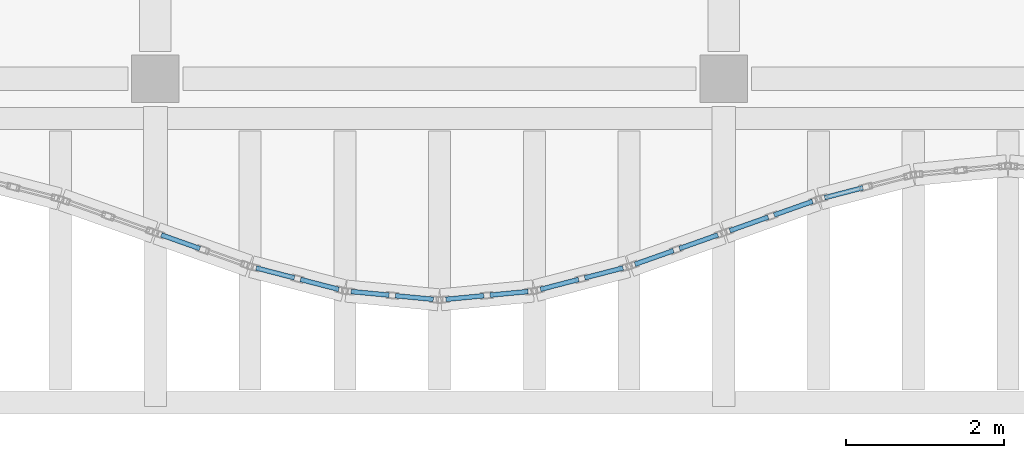
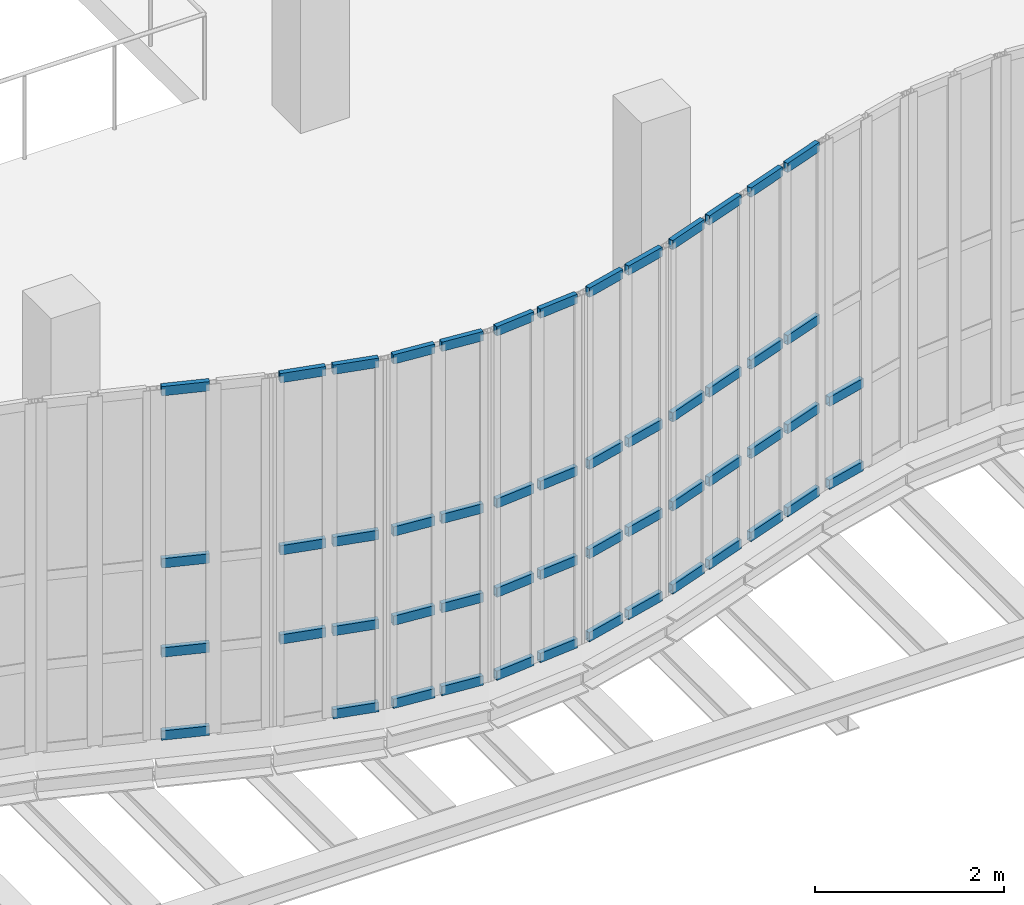
# One storey, part 47 of 105: 53 members, 8 elements without a shape of their own.
"""IFC4 building model written with IfcOpenShell, lengths in metres."""

from ifc_helpers import new_model, si_unit, direction, frame, origin, origin_2d, place, context, subcontext, project, spatial, hollow_rectangle, extrude, material, layer, layer_set, material_profile, profile_set, type_object, element, aggregate, save


model = new_model("IFC4")

# Units and contexts
model_context = context("Model", 3, precision=1e-05, world=origin(), true_north=direction((0.0, 1.0)))
body_context = subcontext(model_context, "Body", "Model", "MODEL_VIEW")
ifc_project = project(units=[si_unit("LENGTHUNIT", "METRE"), si_unit("AREAUNIT", "SQUARE_METRE"), si_unit("VOLUMEUNIT", "CUBIC_METRE"), si_unit("PLANEANGLEUNIT", "RADIAN"), si_unit("MASSUNIT", "GRAM", prefix="KILO"), si_unit("THERMODYNAMICTEMPERATUREUNIT", "KELVIN"), si_unit("POWERUNIT", "WATT")], contexts=[model_context])

# Site, building, storey
site_placement = place(None, origin())
site = spatial("IfcSite", under=ifc_project, at=site_placement, CompositionType="ELEMENT")
building_placement = place(site_placement, origin())
building = spatial("IfcBuilding", under=site, at=building_placement, Name="Kaldorven Railside Theatre", CompositionType="ELEMENT")
storey_placement = place(building_placement, frame((0.0, 0.0, 9.89990234375)))
storey = spatial("IfcBuildingStorey", under=building, at=storey_placement, Name="L02", CompositionType="ELEMENT", Elevation=9.89990234375)

# Curtain wall, members
ifc_material_1 = material(Name="Low-E laminated solar-control glass", Category="glass")
ifc_layer_1 = layer(ifc_material_1, 0.159912109375, Name="Low-E laminated solar-control glass")
ifc_layer_set_1 = layer_set([ifc_layer_1], Name="Low-E laminated solar-control glass")
curtain_wall_type_1 = type_object("IfcCurtainWallType", Name="CWT-01", PredefinedType="USERDEFINED", material=ifc_layer_set_1)
curtain_wall_1_placement = place(storey_placement, origin())
curtain_wall_1 = element("IfcCurtainWall", 1, at=curtain_wall_1_placement, inside=storey, type_object=curtain_wall_type_1, Name="Sinusoidal Fluted Curtain Wall CW-L02-S07", ObjectType="FLUTED GLAZING", PredefinedType="USERDEFINED")
ifc_material_2 = material(Name="Anodised bronze aluminium", Category="aluminium")
ifc_material_profile = material_profile(ifc_material_2, hollow_rectangle(XDim=0.06005859375, YDim=0.1201171875, WallThickness=0.0048828125, at=origin_2d()), Name="RHS 120x60x5")
ifc_profile_set = profile_set([ifc_material_profile], Name="Anodised bronze aluminium")
member_type = type_object("IfcMemberType", Name="CWT-120", PredefinedType="USERDEFINED", material=ifc_profile_set)
member_1_placement = place(storey_placement, frame((44.075439453125, 17.223388671875, 0.030029296875), z_axis=(0.942509408488, -0.334179614745, 0.0), x_axis=(0.334179614745, 0.942509408488, 0.0)))
member_1 = element("IfcMember", 2, at=member_1_placement, type_object=member_type, Name="CW-L02-S07 transom 1.1", ObjectType="TRANSOM", PredefinedType="USERDEFINED", context=body_context, shape_type="SweptSolid", body=[
    extrude(hollow_rectangle(XDim=0.06005859375, YDim=0.1201171875, WallThickness=0.0048828125, at=origin_2d()), origin(), (0.0, 0.0, 1.0), 0.5166015625),
])
member_2_placement = place(storey_placement, frame((44.075439453125, 17.223388671875, 1.10009765625), z_axis=(0.942509408488, -0.334179614745, 0.0), x_axis=(0.334179614745, 0.942509408488, 0.0)))
member_2 = element("IfcMember", 3, at=member_2_placement, type_object=member_type, Name="CW-L02-S07 transom 1.2", ObjectType="TRANSOM", PredefinedType="USERDEFINED", context=body_context, shape_type="SweptSolid", body=[
    extrude(hollow_rectangle(XDim=0.06005859375, YDim=0.1201171875, WallThickness=0.0048828125, at=origin_2d()), origin(), (0.0, 0.0, 1.0), 0.5166015625),
])
member_3_placement = place(storey_placement, frame((44.075439453125, 17.223388671875, 2.25), z_axis=(0.942509408488, -0.334179614745, 0.0), x_axis=(0.334179614745, 0.942509408488, 0.0)))
member_3 = element("IfcMember", 4, at=member_3_placement, type_object=member_type, Name="CW-L02-S07 transom 1.3", ObjectType="TRANSOM", PredefinedType="USERDEFINED", context=body_context, shape_type="SweptSolid", body=[
    extrude(hollow_rectangle(XDim=0.06005859375, YDim=0.1201171875, WallThickness=0.0048828125, at=origin_2d()), origin(), (0.0, 0.0, 1.0), 0.5166015625),
])
member_4_placement = place(storey_placement, frame((44.075439453125, 17.223388671875, 4.47021484375), z_axis=(0.942509408488, -0.334179614745, 0.0), x_axis=(0.334179614745, 0.942509408488, 0.0)))
member_4 = element("IfcMember", 5, at=member_4_placement, type_object=member_type, Name="CW-L02-S07 transom 1.4", ObjectType="TRANSOM", PredefinedType="USERDEFINED", context=body_context, shape_type="SweptSolid", body=[
    extrude(hollow_rectangle(XDim=0.06005859375, YDim=0.1201171875, WallThickness=0.0048828125, at=origin_2d()), origin(), (0.0, 0.0, 1.0), 0.5166015625),
])
aggregate(curtain_wall_1, [member_1, member_2, member_3, member_4])

ifc_layer_2 = layer(ifc_material_1, 0.159912109375, Name="Low-E laminated solar-control glass")
ifc_layer_set_2 = layer_set([ifc_layer_2], Name="Low-E laminated solar-control glass")
curtain_wall_type_2 = type_object("IfcCurtainWallType", Name="CWT-02", PredefinedType="USERDEFINED", material=ifc_layer_set_2)
curtain_wall_2_placement = place(storey_placement, origin())
curtain_wall_2 = element("IfcCurtainWall", 6, at=curtain_wall_2_placement, inside=storey, type_object=curtain_wall_type_2, Name="Sinusoidal Fluted Curtain Wall CW-L02-S08", ObjectType="FLUTED GLAZING", PredefinedType="USERDEFINED")
member_5_placement = place(storey_placement, frame((45.27734375, 16.804931640625, 1.10009765625), z_axis=(0.967979318949, -0.251029954561, 0.0), x_axis=(0.251029954561, 0.967979318949, 0.0)))
member_5 = element("IfcMember", 7, at=member_5_placement, type_object=member_type, Name="CW-L02-S08 transom 1.2", ObjectType="TRANSOM", PredefinedType="USERDEFINED", context=body_context, shape_type="SweptSolid", body=[
    extrude(hollow_rectangle(XDim=0.06005859375, YDim=0.1201171875, WallThickness=0.0048828125, at=origin_2d()), origin(), (0.0, 0.0, 1.0), 0.5),
])
member_6_placement = place(storey_placement, frame((45.27734375, 16.804931640625, 2.25), z_axis=(0.967979318949, -0.251029954561, 0.0), x_axis=(0.251029954561, 0.967979318949, 0.0)))
member_6 = element("IfcMember", 8, at=member_6_placement, type_object=member_type, Name="CW-L02-S08 transom 1.3", ObjectType="TRANSOM", PredefinedType="USERDEFINED", context=body_context, shape_type="SweptSolid", body=[
    extrude(hollow_rectangle(XDim=0.06005859375, YDim=0.1201171875, WallThickness=0.0048828125, at=origin_2d()), origin(), (0.0, 0.0, 1.0), 0.5),
])
member_7_placement = place(storey_placement, frame((45.27734375, 16.804931640625, 4.47021484375), z_axis=(0.967979318949, -0.251029954561, 0.0), x_axis=(0.251029954561, 0.967979318949, 0.0)))
member_7 = element("IfcMember", 9, at=member_7_placement, type_object=member_type, Name="CW-L02-S08 transom 1.4", ObjectType="TRANSOM", PredefinedType="USERDEFINED", context=body_context, shape_type="SweptSolid", body=[
    extrude(hollow_rectangle(XDim=0.06005859375, YDim=0.1201171875, WallThickness=0.0048828125, at=origin_2d()), origin(), (0.0, 0.0, 1.0), 0.5),
])
member_8_placement = place(storey_placement, frame((45.838623046875, 16.659423828125, 0.030029296875), z_axis=(0.967979318949, -0.251029954561, 0.0), x_axis=(0.251029954561, 0.967979318949, 0.0)))
member_8 = element("IfcMember", 10, at=member_8_placement, type_object=member_type, Name="CW-L02-S08 transom 2.1", ObjectType="TRANSOM", PredefinedType="USERDEFINED", context=body_context, shape_type="SweptSolid", body=[
    extrude(hollow_rectangle(XDim=0.06005859375, YDim=0.1201171875, WallThickness=0.0048828125, at=origin_2d()), origin(), (0.0, 0.0, 1.0), 0.5),
])
member_9_placement = place(storey_placement, frame((45.838623046875, 16.659423828125, 1.10009765625), z_axis=(0.967979318949, -0.251029954561, 0.0), x_axis=(0.251029954561, 0.967979318949, 0.0)))
member_9 = element("IfcMember", 11, at=member_9_placement, type_object=member_type, Name="CW-L02-S08 transom 2.2", ObjectType="TRANSOM", PredefinedType="USERDEFINED", context=body_context, shape_type="SweptSolid", body=[
    extrude(hollow_rectangle(XDim=0.06005859375, YDim=0.1201171875, WallThickness=0.0048828125, at=origin_2d()), origin(), (0.0, 0.0, 1.0), 0.5),
])
member_10_placement = place(storey_placement, frame((45.838623046875, 16.659423828125, 2.25), z_axis=(0.967979318949, -0.251029954561, 0.0), x_axis=(0.251029954561, 0.967979318949, 0.0)))
member_10 = element("IfcMember", 12, at=member_10_placement, type_object=member_type, Name="CW-L02-S08 transom 2.3", ObjectType="TRANSOM", PredefinedType="USERDEFINED", context=body_context, shape_type="SweptSolid", body=[
    extrude(hollow_rectangle(XDim=0.06005859375, YDim=0.1201171875, WallThickness=0.0048828125, at=origin_2d()), origin(), (0.0, 0.0, 1.0), 0.5),
])
member_11_placement = place(storey_placement, frame((45.838623046875, 16.659423828125, 4.47021484375), z_axis=(0.967979318949, -0.251029954561, 0.0), x_axis=(0.251029954561, 0.967979318949, 0.0)))
member_11 = element("IfcMember", 13, at=member_11_placement, type_object=member_type, Name="CW-L02-S08 transom 2.4", ObjectType="TRANSOM", PredefinedType="USERDEFINED", context=body_context, shape_type="SweptSolid", body=[
    extrude(hollow_rectangle(XDim=0.06005859375, YDim=0.1201171875, WallThickness=0.0048828125, at=origin_2d()), origin(), (0.0, 0.0, 1.0), 0.5),
])
aggregate(curtain_wall_2, [member_5, member_6, member_7, member_8, member_9, member_10, member_11])

ifc_layer_3 = layer(ifc_material_1, 0.159912109375, Name="Low-E laminated solar-control glass")
ifc_layer_set_3 = layer_set([ifc_layer_3], Name="Low-E laminated solar-control glass")
curtain_wall_type_3 = type_object("IfcCurtainWallType", Name="CWT-03", PredefinedType="USERDEFINED", material=ifc_layer_set_3)
curtain_wall_3_placement = place(storey_placement, origin())
curtain_wall_3 = element("IfcCurtainWall", 14, at=curtain_wall_3_placement, inside=storey, type_object=curtain_wall_type_3, Name="Sinusoidal Fluted Curtain Wall CW-L02-S09", ObjectType="FLUTED GLAZING", PredefinedType="USERDEFINED")
member_12_placement = place(storey_placement, frame((46.479736328125, 16.50634765625, 0.030029296875), z_axis=(0.995515910823, -0.094594245591, 0.0), x_axis=(0.094594245591, 0.995515910823, 0.0)))
member_12 = element("IfcMember", 15, at=member_12_placement, type_object=member_type, Name="CW-L02-S09 transom 1.1", ObjectType="TRANSOM", PredefinedType="USERDEFINED", context=body_context, shape_type="SweptSolid", body=[
    extrude(hollow_rectangle(XDim=0.06005859375, YDim=0.1201171875, WallThickness=0.0048828125, at=origin_2d()), origin(), (0.0, 0.0, 1.0), 0.482666015625),
])
member_13_placement = place(storey_placement, frame((46.479736328125, 16.50634765625, 1.10009765625), z_axis=(0.995515910823, -0.094594245591, 0.0), x_axis=(0.094594245591, 0.995515910823, 0.0)))
member_13 = element("IfcMember", 16, at=member_13_placement, type_object=member_type, Name="CW-L02-S09 transom 1.2", ObjectType="TRANSOM", PredefinedType="USERDEFINED", context=body_context, shape_type="SweptSolid", body=[
    extrude(hollow_rectangle(XDim=0.06005859375, YDim=0.1201171875, WallThickness=0.0048828125, at=origin_2d()), origin(), (0.0, 0.0, 1.0), 0.482666015625),
])
member_14_placement = place(storey_placement, frame((46.479736328125, 16.50634765625, 2.25), z_axis=(0.995515910823, -0.094594245591, 0.0), x_axis=(0.094594245591, 0.995515910823, 0.0)))
member_14 = element("IfcMember", 17, at=member_14_placement, type_object=member_type, Name="CW-L02-S09 transom 1.3", ObjectType="TRANSOM", PredefinedType="USERDEFINED", context=body_context, shape_type="SweptSolid", body=[
    extrude(hollow_rectangle(XDim=0.06005859375, YDim=0.1201171875, WallThickness=0.0048828125, at=origin_2d()), origin(), (0.0, 0.0, 1.0), 0.482666015625),
])
member_15_placement = place(storey_placement, frame((46.479736328125, 16.50634765625, 4.47021484375), z_axis=(0.995515910823, -0.094594245591, 0.0), x_axis=(0.094594245591, 0.995515910823, 0.0)))
member_15 = element("IfcMember", 18, at=member_15_placement, type_object=member_type, Name="CW-L02-S09 transom 1.4", ObjectType="TRANSOM", PredefinedType="USERDEFINED", context=body_context, shape_type="SweptSolid", body=[
    extrude(hollow_rectangle(XDim=0.06005859375, YDim=0.1201171875, WallThickness=0.0048828125, at=origin_2d()), origin(), (0.0, 0.0, 1.0), 0.482666015625),
])
member_16_placement = place(storey_placement, frame((47.039794921875, 16.453125, 0.030029296875), z_axis=(0.995515910823, -0.094594245591, 0.0), x_axis=(0.094594245591, 0.995515910823, 0.0)))
member_16 = element("IfcMember", 19, at=member_16_placement, type_object=member_type, Name="CW-L02-S09 transom 2.1", ObjectType="TRANSOM", PredefinedType="USERDEFINED", context=body_context, shape_type="SweptSolid", body=[
    extrude(hollow_rectangle(XDim=0.06005859375, YDim=0.1201171875, WallThickness=0.0048828125, at=origin_2d()), origin(), (0.0, 0.0, 1.0), 0.482666015625),
])
member_17_placement = place(storey_placement, frame((47.039794921875, 16.453125, 1.10009765625), z_axis=(0.995515910823, -0.094594245591, 0.0), x_axis=(0.094594245591, 0.995515910823, 0.0)))
member_17 = element("IfcMember", 20, at=member_17_placement, type_object=member_type, Name="CW-L02-S09 transom 2.2", ObjectType="TRANSOM", PredefinedType="USERDEFINED", context=body_context, shape_type="SweptSolid", body=[
    extrude(hollow_rectangle(XDim=0.06005859375, YDim=0.1201171875, WallThickness=0.0048828125, at=origin_2d()), origin(), (0.0, 0.0, 1.0), 0.482666015625),
])
member_18_placement = place(storey_placement, frame((47.039794921875, 16.453125, 2.25), z_axis=(0.995515910823, -0.094594245591, 0.0), x_axis=(0.094594245591, 0.995515910823, 0.0)))
member_18 = element("IfcMember", 21, at=member_18_placement, type_object=member_type, Name="CW-L02-S09 transom 2.3", ObjectType="TRANSOM", PredefinedType="USERDEFINED", context=body_context, shape_type="SweptSolid", body=[
    extrude(hollow_rectangle(XDim=0.06005859375, YDim=0.1201171875, WallThickness=0.0048828125, at=origin_2d()), origin(), (0.0, 0.0, 1.0), 0.482666015625),
])
member_19_placement = place(storey_placement, frame((47.039794921875, 16.453125, 4.47021484375), z_axis=(0.995515910823, -0.094594245591, 0.0), x_axis=(0.094594245591, 0.995515910823, 0.0)))
member_19 = element("IfcMember", 22, at=member_19_placement, type_object=member_type, Name="CW-L02-S09 transom 2.4", ObjectType="TRANSOM", PredefinedType="USERDEFINED", context=body_context, shape_type="SweptSolid", body=[
    extrude(hollow_rectangle(XDim=0.06005859375, YDim=0.1201171875, WallThickness=0.0048828125, at=origin_2d()), origin(), (0.0, 0.0, 1.0), 0.482666015625),
])
aggregate(curtain_wall_3, [member_12, member_13, member_14, member_15, member_16, member_17, member_18, member_19])

curtain_wall_4_placement = place(storey_placement, origin())
curtain_wall_4 = element("IfcCurtainWall", 23, at=curtain_wall_4_placement, inside=storey, type_object=curtain_wall_type_3, Name="Sinusoidal Fluted Curtain Wall CW-L02-S10", ObjectType="FLUTED GLAZING", PredefinedType="USERDEFINED")
member_20_placement = place(storey_placement, frame((47.6796875, 16.407470703125, 0.030029296875), z_axis=(0.995515910823, 0.094594245591, 0.0), x_axis=(-0.094594245591, 0.995515910823, 0.0)))
member_20 = element("IfcMember", 24, at=member_20_placement, type_object=member_type, Name="CW-L02-S10 transom 1.1", ObjectType="TRANSOM", PredefinedType="USERDEFINED", context=body_context, shape_type="SweptSolid", body=[
    extrude(hollow_rectangle(XDim=0.06005859375, YDim=0.1201171875, WallThickness=0.0048828125, at=origin_2d()), origin(), (0.0, 0.0, 1.0), 0.482666015625),
])
member_21_placement = place(storey_placement, frame((47.6796875, 16.407470703125, 1.10009765625), z_axis=(0.995515910823, 0.094594245591, 0.0), x_axis=(-0.094594245591, 0.995515910823, 0.0)))
member_21 = element("IfcMember", 25, at=member_21_placement, type_object=member_type, Name="CW-L02-S10 transom 1.2", ObjectType="TRANSOM", PredefinedType="USERDEFINED", context=body_context, shape_type="SweptSolid", body=[
    extrude(hollow_rectangle(XDim=0.06005859375, YDim=0.1201171875, WallThickness=0.0048828125, at=origin_2d()), origin(), (0.0, 0.0, 1.0), 0.482666015625),
])
member_22_placement = place(storey_placement, frame((47.6796875, 16.407470703125, 2.25), z_axis=(0.995515910823, 0.094594245591, 0.0), x_axis=(-0.094594245591, 0.995515910823, 0.0)))
member_22 = element("IfcMember", 26, at=member_22_placement, type_object=member_type, Name="CW-L02-S10 transom 1.3", ObjectType="TRANSOM", PredefinedType="USERDEFINED", context=body_context, shape_type="SweptSolid", body=[
    extrude(hollow_rectangle(XDim=0.06005859375, YDim=0.1201171875, WallThickness=0.0048828125, at=origin_2d()), origin(), (0.0, 0.0, 1.0), 0.482666015625),
])
member_23_placement = place(storey_placement, frame((47.6796875, 16.407470703125, 4.47021484375), z_axis=(0.995515910823, 0.094594245591, 0.0), x_axis=(-0.094594245591, 0.995515910823, 0.0)))
member_23 = element("IfcMember", 27, at=member_23_placement, type_object=member_type, Name="CW-L02-S10 transom 1.4", ObjectType="TRANSOM", PredefinedType="USERDEFINED", context=body_context, shape_type="SweptSolid", body=[
    extrude(hollow_rectangle(XDim=0.06005859375, YDim=0.1201171875, WallThickness=0.0048828125, at=origin_2d()), origin(), (0.0, 0.0, 1.0), 0.482666015625),
])
member_24_placement = place(storey_placement, frame((48.23974609375, 16.460693359375, 0.030029296875), z_axis=(0.995520433802, 0.094546633378, 0.0), x_axis=(-0.094546633378, 0.995520433802, 0.0)))
member_24 = element("IfcMember", 28, at=member_24_placement, type_object=member_type, Name="CW-L02-S10 transom 2.1", ObjectType="TRANSOM", PredefinedType="USERDEFINED", context=body_context, shape_type="SweptSolid", body=[
    extrude(hollow_rectangle(XDim=0.06005859375, YDim=0.1201171875, WallThickness=0.0048828125, at=origin_2d()), origin(), (0.0, 0.0, 1.0), 0.48291015625),
])
member_25_placement = place(storey_placement, frame((48.23974609375, 16.460693359375, 1.10009765625), z_axis=(0.995520433802, 0.094546633378, 0.0), x_axis=(-0.094546633378, 0.995520433802, 0.0)))
member_25 = element("IfcMember", 29, at=member_25_placement, type_object=member_type, Name="CW-L02-S10 transom 2.2", ObjectType="TRANSOM", PredefinedType="USERDEFINED", context=body_context, shape_type="SweptSolid", body=[
    extrude(hollow_rectangle(XDim=0.06005859375, YDim=0.1201171875, WallThickness=0.0048828125, at=origin_2d()), origin(), (0.0, 0.0, 1.0), 0.48291015625),
])
member_26_placement = place(storey_placement, frame((48.23974609375, 16.460693359375, 2.25), z_axis=(0.995520433802, 0.094546633378, 0.0), x_axis=(-0.094546633378, 0.995520433802, 0.0)))
member_26 = element("IfcMember", 30, at=member_26_placement, type_object=member_type, Name="CW-L02-S10 transom 2.3", ObjectType="TRANSOM", PredefinedType="USERDEFINED", context=body_context, shape_type="SweptSolid", body=[
    extrude(hollow_rectangle(XDim=0.06005859375, YDim=0.1201171875, WallThickness=0.0048828125, at=origin_2d()), origin(), (0.0, 0.0, 1.0), 0.48291015625),
])
member_27_placement = place(storey_placement, frame((48.23974609375, 16.460693359375, 4.47021484375), z_axis=(0.995520433802, 0.094546633378, 0.0), x_axis=(-0.094546633378, 0.995520433802, 0.0)))
member_27 = element("IfcMember", 31, at=member_27_placement, type_object=member_type, Name="CW-L02-S10 transom 2.4", ObjectType="TRANSOM", PredefinedType="USERDEFINED", context=body_context, shape_type="SweptSolid", body=[
    extrude(hollow_rectangle(XDim=0.06005859375, YDim=0.1201171875, WallThickness=0.0048828125, at=origin_2d()), origin(), (0.0, 0.0, 1.0), 0.48291015625),
])
aggregate(curtain_wall_4, [member_20, member_21, member_22, member_23, member_24, member_25, member_26, member_27])

curtain_wall_5_placement = place(storey_placement, origin())
curtain_wall_5 = element("IfcCurtainWall", 32, at=curtain_wall_5_placement, inside=storey, type_object=curtain_wall_type_2, Name="Sinusoidal Fluted Curtain Wall CW-L02-S11", ObjectType="FLUTED GLAZING", PredefinedType="USERDEFINED")
member_28_placement = place(storey_placement, frame((48.87744140625, 16.533935546875, 0.030029296875), z_axis=(0.967979318949, 0.251029954561, 0.0), x_axis=(-0.251029954561, 0.967979318949, 0.0)))
member_28 = element("IfcMember", 33, at=member_28_placement, type_object=member_type, Name="CW-L02-S11 transom 1.1", ObjectType="TRANSOM", PredefinedType="USERDEFINED", context=body_context, shape_type="SweptSolid", body=[
    extrude(hollow_rectangle(XDim=0.06005859375, YDim=0.1201171875, WallThickness=0.0048828125, at=origin_2d()), origin(), (0.0, 0.0, 1.0), 0.5),
])
member_29_placement = place(storey_placement, frame((48.87744140625, 16.533935546875, 1.10009765625), z_axis=(0.967979318949, 0.251029954561, 0.0), x_axis=(-0.251029954561, 0.967979318949, 0.0)))
member_29 = element("IfcMember", 34, at=member_29_placement, type_object=member_type, Name="CW-L02-S11 transom 1.2", ObjectType="TRANSOM", PredefinedType="USERDEFINED", context=body_context, shape_type="SweptSolid", body=[
    extrude(hollow_rectangle(XDim=0.06005859375, YDim=0.1201171875, WallThickness=0.0048828125, at=origin_2d()), origin(), (0.0, 0.0, 1.0), 0.5),
])
member_30_placement = place(storey_placement, frame((48.87744140625, 16.533935546875, 2.25), z_axis=(0.967979318949, 0.251029954561, 0.0), x_axis=(-0.251029954561, 0.967979318949, 0.0)))
member_30 = element("IfcMember", 35, at=member_30_placement, type_object=member_type, Name="CW-L02-S11 transom 1.3", ObjectType="TRANSOM", PredefinedType="USERDEFINED", context=body_context, shape_type="SweptSolid", body=[
    extrude(hollow_rectangle(XDim=0.06005859375, YDim=0.1201171875, WallThickness=0.0048828125, at=origin_2d()), origin(), (0.0, 0.0, 1.0), 0.5),
])
member_31_placement = place(storey_placement, frame((48.87744140625, 16.533935546875, 4.47021484375), z_axis=(0.967979318949, 0.251029954561, 0.0), x_axis=(-0.251029954561, 0.967979318949, 0.0)))
member_31 = element("IfcMember", 36, at=member_31_placement, type_object=member_type, Name="CW-L02-S11 transom 1.4", ObjectType="TRANSOM", PredefinedType="USERDEFINED", context=body_context, shape_type="SweptSolid", body=[
    extrude(hollow_rectangle(XDim=0.06005859375, YDim=0.1201171875, WallThickness=0.0048828125, at=origin_2d()), origin(), (0.0, 0.0, 1.0), 0.5),
])
member_32_placement = place(storey_placement, frame((49.438720703125, 16.679443359375, 0.030029296875), z_axis=(0.967979318949, 0.251029954561, 0.0), x_axis=(-0.251029954561, 0.967979318949, 0.0)))
member_32 = element("IfcMember", 37, at=member_32_placement, type_object=member_type, Name="CW-L02-S11 transom 2.1", ObjectType="TRANSOM", PredefinedType="USERDEFINED", context=body_context, shape_type="SweptSolid", body=[
    extrude(hollow_rectangle(XDim=0.06005859375, YDim=0.1201171875, WallThickness=0.0048828125, at=origin_2d()), origin(), (0.0, 0.0, 1.0), 0.5),
])
member_33_placement = place(storey_placement, frame((49.438720703125, 16.679443359375, 1.10009765625), z_axis=(0.967979318949, 0.251029954561, 0.0), x_axis=(-0.251029954561, 0.967979318949, 0.0)))
member_33 = element("IfcMember", 38, at=member_33_placement, type_object=member_type, Name="CW-L02-S11 transom 2.2", ObjectType="TRANSOM", PredefinedType="USERDEFINED", context=body_context, shape_type="SweptSolid", body=[
    extrude(hollow_rectangle(XDim=0.06005859375, YDim=0.1201171875, WallThickness=0.0048828125, at=origin_2d()), origin(), (0.0, 0.0, 1.0), 0.5),
])
member_34_placement = place(storey_placement, frame((49.438720703125, 16.679443359375, 2.25), z_axis=(0.967979318949, 0.251029954561, 0.0), x_axis=(-0.251029954561, 0.967979318949, 0.0)))
member_34 = element("IfcMember", 39, at=member_34_placement, type_object=member_type, Name="CW-L02-S11 transom 2.3", ObjectType="TRANSOM", PredefinedType="USERDEFINED", context=body_context, shape_type="SweptSolid", body=[
    extrude(hollow_rectangle(XDim=0.06005859375, YDim=0.1201171875, WallThickness=0.0048828125, at=origin_2d()), origin(), (0.0, 0.0, 1.0), 0.5),
])
member_35_placement = place(storey_placement, frame((49.438720703125, 16.679443359375, 4.47021484375), z_axis=(0.967979318949, 0.251029954561, 0.0), x_axis=(-0.251029954561, 0.967979318949, 0.0)))
member_35 = element("IfcMember", 40, at=member_35_placement, type_object=member_type, Name="CW-L02-S11 transom 2.4", ObjectType="TRANSOM", PredefinedType="USERDEFINED", context=body_context, shape_type="SweptSolid", body=[
    extrude(hollow_rectangle(XDim=0.06005859375, YDim=0.1201171875, WallThickness=0.0048828125, at=origin_2d()), origin(), (0.0, 0.0, 1.0), 0.5),
])
aggregate(curtain_wall_5, [member_28, member_29, member_30, member_31, member_32, member_33, member_34, member_35])

curtain_wall_6_placement = place(storey_placement, origin())
curtain_wall_6 = element("IfcCurtainWall", 41, at=curtain_wall_6_placement, inside=storey, type_object=curtain_wall_type_1, Name="Sinusoidal Fluted Curtain Wall CW-L02-S12", ObjectType="FLUTED GLAZING", PredefinedType="USERDEFINED")
member_36_placement = place(storey_placement, frame((50.075439453125, 16.851806640625, 0.030029296875), z_axis=(0.942658214948, 0.333759628763, 0.0), x_axis=(-0.333759628763, 0.942658214948, 0.0)))
member_36 = element("IfcMember", 42, at=member_36_placement, type_object=member_type, Name="CW-L02-S12 transom 1.1", ObjectType="TRANSOM", PredefinedType="USERDEFINED", context=body_context, shape_type="SweptSolid", body=[
    extrude(hollow_rectangle(XDim=0.06005859375, YDim=0.1201171875, WallThickness=0.0048828125, at=origin_2d()), origin(), (0.0, 0.0, 1.0), 0.516357421875),
])
member_37_placement = place(storey_placement, frame((50.075439453125, 16.851806640625, 1.10009765625), z_axis=(0.942658214948, 0.333759628763, 0.0), x_axis=(-0.333759628763, 0.942658214948, 0.0)))
member_37 = element("IfcMember", 43, at=member_37_placement, type_object=member_type, Name="CW-L02-S12 transom 1.2", ObjectType="TRANSOM", PredefinedType="USERDEFINED", context=body_context, shape_type="SweptSolid", body=[
    extrude(hollow_rectangle(XDim=0.06005859375, YDim=0.1201171875, WallThickness=0.0048828125, at=origin_2d()), origin(), (0.0, 0.0, 1.0), 0.516357421875),
])
member_38_placement = place(storey_placement, frame((50.075439453125, 16.851806640625, 2.25), z_axis=(0.942658214948, 0.333759628763, 0.0), x_axis=(-0.333759628763, 0.942658214948, 0.0)))
member_38 = element("IfcMember", 44, at=member_38_placement, type_object=member_type, Name="CW-L02-S12 transom 1.3", ObjectType="TRANSOM", PredefinedType="USERDEFINED", context=body_context, shape_type="SweptSolid", body=[
    extrude(hollow_rectangle(XDim=0.06005859375, YDim=0.1201171875, WallThickness=0.0048828125, at=origin_2d()), origin(), (0.0, 0.0, 1.0), 0.516357421875),
])
member_39_placement = place(storey_placement, frame((50.075439453125, 16.851806640625, 4.47021484375), z_axis=(0.942658214948, 0.333759628763, 0.0), x_axis=(-0.333759628763, 0.942658214948, 0.0)))
member_39 = element("IfcMember", 45, at=member_39_placement, type_object=member_type, Name="CW-L02-S12 transom 1.4", ObjectType="TRANSOM", PredefinedType="USERDEFINED", context=body_context, shape_type="SweptSolid", body=[
    extrude(hollow_rectangle(XDim=0.06005859375, YDim=0.1201171875, WallThickness=0.0048828125, at=origin_2d()), origin(), (0.0, 0.0, 1.0), 0.516357421875),
])
member_40_placement = place(storey_placement, frame((50.6376953125, 17.05078125, 0.030029296875), z_axis=(0.942509408488, 0.334179614745, 0.0), x_axis=(-0.334179614745, 0.942509408488, 0.0)))
member_40 = element("IfcMember", 46, at=member_40_placement, type_object=member_type, Name="CW-L02-S12 transom 2.1", ObjectType="TRANSOM", PredefinedType="USERDEFINED", context=body_context, shape_type="SweptSolid", body=[
    extrude(hollow_rectangle(XDim=0.06005859375, YDim=0.1201171875, WallThickness=0.0048828125, at=origin_2d()), origin(), (0.0, 0.0, 1.0), 0.5166015625),
])
member_41_placement = place(storey_placement, frame((50.6376953125, 17.05078125, 1.10009765625), z_axis=(0.942509408488, 0.334179614745, 0.0), x_axis=(-0.334179614745, 0.942509408488, 0.0)))
member_41 = element("IfcMember", 47, at=member_41_placement, type_object=member_type, Name="CW-L02-S12 transom 2.2", ObjectType="TRANSOM", PredefinedType="USERDEFINED", context=body_context, shape_type="SweptSolid", body=[
    extrude(hollow_rectangle(XDim=0.06005859375, YDim=0.1201171875, WallThickness=0.0048828125, at=origin_2d()), origin(), (0.0, 0.0, 1.0), 0.5166015625),
])
member_42_placement = place(storey_placement, frame((50.6376953125, 17.05078125, 2.25), z_axis=(0.942509408488, 0.334179614745, 0.0), x_axis=(-0.334179614745, 0.942509408488, 0.0)))
member_42 = element("IfcMember", 48, at=member_42_placement, type_object=member_type, Name="CW-L02-S12 transom 2.3", ObjectType="TRANSOM", PredefinedType="USERDEFINED", context=body_context, shape_type="SweptSolid", body=[
    extrude(hollow_rectangle(XDim=0.06005859375, YDim=0.1201171875, WallThickness=0.0048828125, at=origin_2d()), origin(), (0.0, 0.0, 1.0), 0.5166015625),
])
member_43_placement = place(storey_placement, frame((50.6376953125, 17.05078125, 4.47021484375), z_axis=(0.942509408488, 0.334179614745, 0.0), x_axis=(-0.334179614745, 0.942509408488, 0.0)))
member_43 = element("IfcMember", 49, at=member_43_placement, type_object=member_type, Name="CW-L02-S12 transom 2.4", ObjectType="TRANSOM", PredefinedType="USERDEFINED", context=body_context, shape_type="SweptSolid", body=[
    extrude(hollow_rectangle(XDim=0.06005859375, YDim=0.1201171875, WallThickness=0.0048828125, at=origin_2d()), origin(), (0.0, 0.0, 1.0), 0.5166015625),
])
aggregate(curtain_wall_6, [member_36, member_37, member_38, member_39, member_40, member_41, member_42, member_43])

curtain_wall_7_placement = place(storey_placement, origin())
curtain_wall_7 = element("IfcCurtainWall", 50, at=curtain_wall_7_placement, inside=storey, type_object=curtain_wall_type_1, Name="Sinusoidal Fluted Curtain Wall CW-L02-S13", ObjectType="FLUTED GLAZING", PredefinedType="USERDEFINED")
member_44_placement = place(storey_placement, frame((51.275390625, 17.276611328125, 0.030029296875), z_axis=(0.942509408488, 0.334179614745, 0.0), x_axis=(-0.334179614745, 0.942509408488, 0.0)))
member_44 = element("IfcMember", 51, at=member_44_placement, type_object=member_type, Name="CW-L02-S13 transom 1.1", ObjectType="TRANSOM", PredefinedType="USERDEFINED", context=body_context, shape_type="SweptSolid", body=[
    extrude(hollow_rectangle(XDim=0.06005859375, YDim=0.1201171875, WallThickness=0.0048828125, at=origin_2d()), origin(), (0.0, 0.0, 1.0), 0.5166015625),
])
member_45_placement = place(storey_placement, frame((51.275390625, 17.276611328125, 1.10009765625), z_axis=(0.942509408488, 0.334179614745, 0.0), x_axis=(-0.334179614745, 0.942509408488, 0.0)))
member_45 = element("IfcMember", 52, at=member_45_placement, type_object=member_type, Name="CW-L02-S13 transom 1.2", ObjectType="TRANSOM", PredefinedType="USERDEFINED", context=body_context, shape_type="SweptSolid", body=[
    extrude(hollow_rectangle(XDim=0.06005859375, YDim=0.1201171875, WallThickness=0.0048828125, at=origin_2d()), origin(), (0.0, 0.0, 1.0), 0.5166015625),
])
member_46_placement = place(storey_placement, frame((51.275390625, 17.276611328125, 2.25), z_axis=(0.942509408488, 0.334179614745, 0.0), x_axis=(-0.334179614745, 0.942509408488, 0.0)))
member_46 = element("IfcMember", 53, at=member_46_placement, type_object=member_type, Name="CW-L02-S13 transom 1.3", ObjectType="TRANSOM", PredefinedType="USERDEFINED", context=body_context, shape_type="SweptSolid", body=[
    extrude(hollow_rectangle(XDim=0.06005859375, YDim=0.1201171875, WallThickness=0.0048828125, at=origin_2d()), origin(), (0.0, 0.0, 1.0), 0.5166015625),
])
member_47_placement = place(storey_placement, frame((51.275390625, 17.276611328125, 4.47021484375), z_axis=(0.942509408488, 0.334179614745, 0.0), x_axis=(-0.334179614745, 0.942509408488, 0.0)))
member_47 = element("IfcMember", 54, at=member_47_placement, type_object=member_type, Name="CW-L02-S13 transom 1.4", ObjectType="TRANSOM", PredefinedType="USERDEFINED", context=body_context, shape_type="SweptSolid", body=[
    extrude(hollow_rectangle(XDim=0.06005859375, YDim=0.1201171875, WallThickness=0.0048828125, at=origin_2d()), origin(), (0.0, 0.0, 1.0), 0.5166015625),
])
member_48_placement = place(storey_placement, frame((51.837646484375, 17.475830078125, 0.030029296875), z_axis=(0.942710841688, 0.333610954502, 0.0), x_axis=(-0.333610954502, 0.942710841688, 0.0)))
member_48 = element("IfcMember", 55, at=member_48_placement, type_object=member_type, Name="CW-L02-S13 transom 2.1", ObjectType="TRANSOM", PredefinedType="USERDEFINED", context=body_context, shape_type="SweptSolid", body=[
    extrude(hollow_rectangle(XDim=0.06005859375, YDim=0.1201171875, WallThickness=0.0048828125, at=origin_2d()), origin(), (0.0, 0.0, 1.0), 0.5166015625),
])
member_49_placement = place(storey_placement, frame((51.837646484375, 17.475830078125, 1.10009765625), z_axis=(0.942710841688, 0.333610954502, 0.0), x_axis=(-0.333610954502, 0.942710841688, 0.0)))
member_49 = element("IfcMember", 56, at=member_49_placement, type_object=member_type, Name="CW-L02-S13 transom 2.2", ObjectType="TRANSOM", PredefinedType="USERDEFINED", context=body_context, shape_type="SweptSolid", body=[
    extrude(hollow_rectangle(XDim=0.06005859375, YDim=0.1201171875, WallThickness=0.0048828125, at=origin_2d()), origin(), (0.0, 0.0, 1.0), 0.5166015625),
])
member_50_placement = place(storey_placement, frame((51.837646484375, 17.475830078125, 2.25), z_axis=(0.942710841688, 0.333610954502, 0.0), x_axis=(-0.333610954502, 0.942710841688, 0.0)))
member_50 = element("IfcMember", 57, at=member_50_placement, type_object=member_type, Name="CW-L02-S13 transom 2.3", ObjectType="TRANSOM", PredefinedType="USERDEFINED", context=body_context, shape_type="SweptSolid", body=[
    extrude(hollow_rectangle(XDim=0.06005859375, YDim=0.1201171875, WallThickness=0.0048828125, at=origin_2d()), origin(), (0.0, 0.0, 1.0), 0.5166015625),
])
member_51_placement = place(storey_placement, frame((51.837646484375, 17.475830078125, 4.47021484375), z_axis=(0.942710841688, 0.333610954502, 0.0), x_axis=(-0.333610954502, 0.942710841688, 0.0)))
member_51 = element("IfcMember", 58, at=member_51_placement, type_object=member_type, Name="CW-L02-S13 transom 2.4", ObjectType="TRANSOM", PredefinedType="USERDEFINED", context=body_context, shape_type="SweptSolid", body=[
    extrude(hollow_rectangle(XDim=0.06005859375, YDim=0.1201171875, WallThickness=0.0048828125, at=origin_2d()), origin(), (0.0, 0.0, 1.0), 0.5166015625),
])
aggregate(curtain_wall_7, [member_44, member_45, member_46, member_47, member_48, member_49, member_50, member_51])

curtain_wall_8_placement = place(storey_placement, origin())
curtain_wall_8 = element("IfcCurtainWall", 59, at=curtain_wall_8_placement, inside=storey, type_object=curtain_wall_type_2, Name="Sinusoidal Fluted Curtain Wall CW-L02-S14", ObjectType="FLUTED GLAZING", PredefinedType="USERDEFINED")
member_52_placement = place(storey_placement, frame((52.4775390625, 17.695068359375, 0.030029296875), z_axis=(0.967948521016, 0.251148682384, 0.0), x_axis=(-0.251148682384, 0.967948521016, 0.0)))
member_52 = element("IfcMember", 60, at=member_52_placement, type_object=member_type, Name="CW-L02-S14 transom 1.1", ObjectType="TRANSOM", PredefinedType="USERDEFINED", context=body_context, shape_type="SweptSolid", body=[
    extrude(hollow_rectangle(XDim=0.06005859375, YDim=0.1201171875, WallThickness=0.0048828125, at=origin_2d()), origin(), (0.0, 0.0, 1.0), 0.499755859375),
])
member_53_placement = place(storey_placement, frame((52.4775390625, 17.695068359375, 1.10009765625), z_axis=(0.967948521016, 0.251148682384, 0.0), x_axis=(-0.251148682384, 0.967948521016, 0.0)))
member_53 = element("IfcMember", 61, at=member_53_placement, type_object=member_type, Name="CW-L02-S14 transom 1.2", ObjectType="TRANSOM", PredefinedType="USERDEFINED", context=body_context, shape_type="SweptSolid", body=[
    extrude(hollow_rectangle(XDim=0.06005859375, YDim=0.1201171875, WallThickness=0.0048828125, at=origin_2d()), origin(), (0.0, 0.0, 1.0), 0.499755859375),
])
aggregate(curtain_wall_8, [member_52, member_53])

save(model, "model.ifc")
